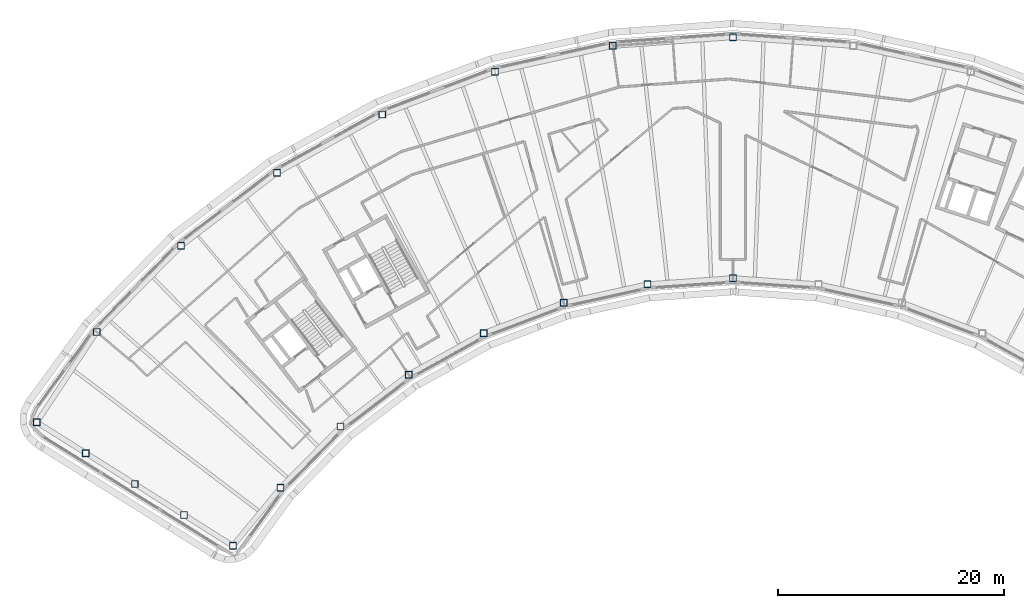
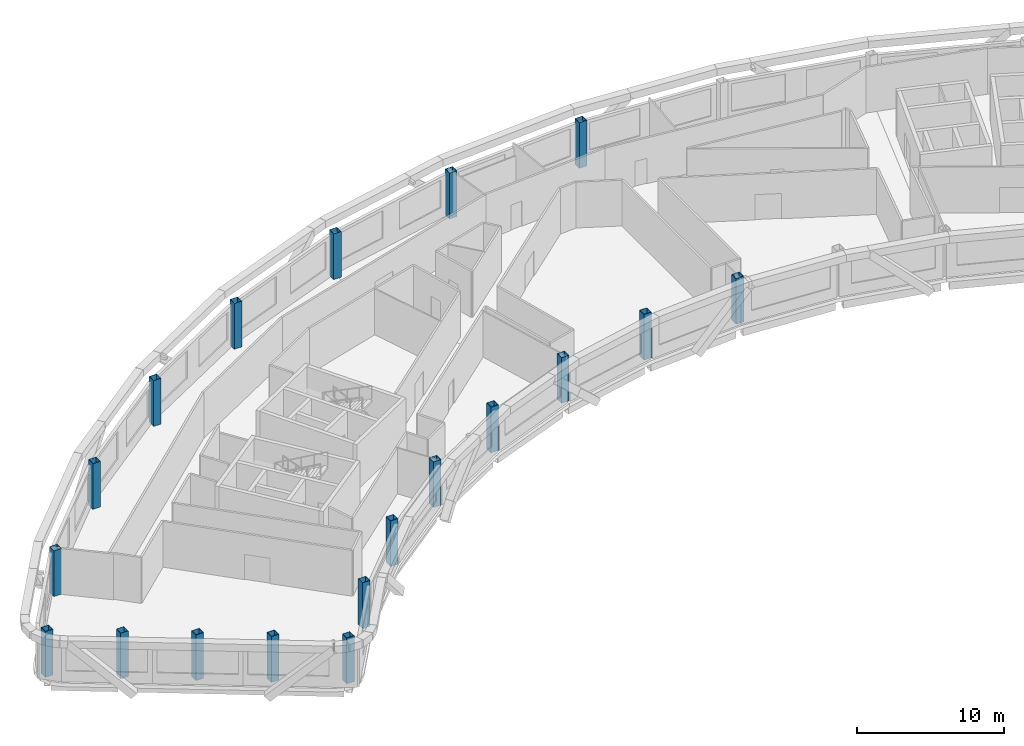
# One storey, part 1 of 17: 19 columns.
"""IFC4 building model written with IfcOpenShell, lengths in metres."""

from ifc_helpers import new_model, si_unit, direction, frame, origin, origin_2d, place, context, subcontext, project, spatial, hollow_rectangle, extrude, material, material_profile, profile_set, type_object, element, save


model = new_model("IFC4")

# Units and contexts
model_context = context("Model", 3, precision=1e-05, world=origin(), true_north=direction((0.0, 1.0)))
body_context = subcontext(model_context, "Body", "Model", "MODEL_VIEW")
ifc_project = project(units=[si_unit("LENGTHUNIT", "METRE"), si_unit("AREAUNIT", "SQUARE_METRE"), si_unit("VOLUMEUNIT", "CUBIC_METRE"), si_unit("PLANEANGLEUNIT", "RADIAN"), si_unit("MASSUNIT", "GRAM", prefix="KILO")], contexts=[model_context])

# Site, building, storey
site_placement = place(None, origin())
site = spatial("IfcSite", under=ifc_project, at=site_placement, CompositionType="ELEMENT")
building_placement = place(site_placement, origin())
building = spatial("IfcBuilding", under=site, at=building_placement, Name="Tuul Gate Civic Tower", CompositionType="ELEMENT")
storey_placement = place(building_placement, frame((0.0, 0.0, 344.89990234375)))
storey = spatial("IfcBuildingStorey", under=building, at=storey_placement, Name="Level 78", CompositionType="ELEMENT", Elevation=344.89990234375)

# Columns
ifc_material = material(Name="Steel S355", Category="steel")
ifc_material_profile = material_profile(ifc_material, hollow_rectangle(XDim=0.60009765625, YDim=0.60009765625, WallThickness=0.02490234375, at=origin_2d()), Name="BOX600x600x25")
ifc_profile_set = profile_set([ifc_material_profile], Name="Steel S355")
column_type = type_object("IfcColumnType", Name="STR-COLUMN-BOX600x600x25", PredefinedType="COLUMN", material=ifc_profile_set)
for number, where, z_axis, x_axis, name in (
    (1, (2.19189453125, 13.827880859375, 0.0), (0.0, 0.0, 1.0), (1.0, 0.0, 0.0), "Column"),
    (2, (-8.45703125, 13.055908203125, 0.0), (0.0, 0.0, 1.0), (1.0, 0.0, 0.0), "Column"),
    (3, (-18.885009765625, 10.758056640625, 0.0), (0.0, 0.0, 1.0), (1.0, 0.0, 0.0), "Column"),
    (4, (-28.8720703125, 6.98193359375, 0.0), (0.0, 0.0, 1.0), (1.0, 0.0, 0.0), "Column"),
    (5, (-38.2099609375, 1.804931640625, 0.0), (0.0, 0.0, 1.0), (1.0, 0.0, 0.0), "Column"),
    (6, (-46.7060546875, -4.6630859375, 0.0), (0.0, 0.0, 1.0), (1.0, 0.0, 0.0), "Column"),
    (7, (-54.179931640625, -12.2880859375, 0.0), (0.0, 0.0, 1.0), (1.0, 0.0, 0.0), "Column"),
    (8, (-59.47900390625, -20.300048828125, 0.0), (0.0, 0.0, 1.0), (1.0, 0.0, 0.0), "Column"),
    (9, (-55.135986328125, -23.034912109375, 0.0), (0.0, 0.0, 1.0), (1.0, 0.0, 0.0), "Column"),
    (10, (-50.7939453125, -25.77001953125, 0.0), (0.0, 0.0, 1.0), (1.0, 0.0, 0.0), "Column"),
    (11, (-46.450927734375, -28.50390625, 0.0), (0.0, 0.0, 1.0), (1.0, 0.0, 0.0), "Column"),
    (12, (-42.10888671875, -31.239013671875, 0.0), (0.0, 0.0, 1.0), (1.0, 0.0, 0.0), "Column"),
    (13, (-37.888916015625, -26.096923828125, 0.0), (0.0, 0.0, 1.0), (1.0, 0.0, 0.0), "Column"),
    (14, (-32.574951171875, -20.675048828125, 0.0), (0.0, 0.0, 1.0), (1.0, 0.0, 0.0), "Column"),
    (15, (-26.534912109375, -16.075927734375, 0.0), (0.0, 0.0, 1.0), (1.0, 0.0, 0.0), "Column"),
    (16, (-19.89501953125, -12.39599609375, 0.0), (0.0, 0.0, 1.0), (1.0, 0.0, 0.0), "Column"),
    (17, (-12.7939453125, -9.7099609375, 0.0), (0.0, 0.0, 1.0), (1.0, 0.0, 0.0), "Column"),
    (18, (-5.3798828125, -8.076904296875, 0.0), (0.0, 0.0, 1.0), (1.0, 0.0, 0.0), "Column"),
    (19, (2.19189453125, -7.528076171875, 0.0), (0.0, 0.0, 1.0), (1.0, 0.0, 0.0), "Column"),
):
    element("IfcColumn", number, at=place(storey_placement, frame(where, z_axis=z_axis, x_axis=x_axis)), inside=storey, type_object=column_type, Name=name, PredefinedType="COLUMN", context=body_context, shape_type="SweptSolid", body=[
        extrude(hollow_rectangle(XDim=0.60009765625, YDim=0.60009765625, WallThickness=0.02490234375, at=origin_2d()), origin(), (0.0, 0.0, 1.0), 3.800048828125),
    ])

save(model, "model.ifc")
